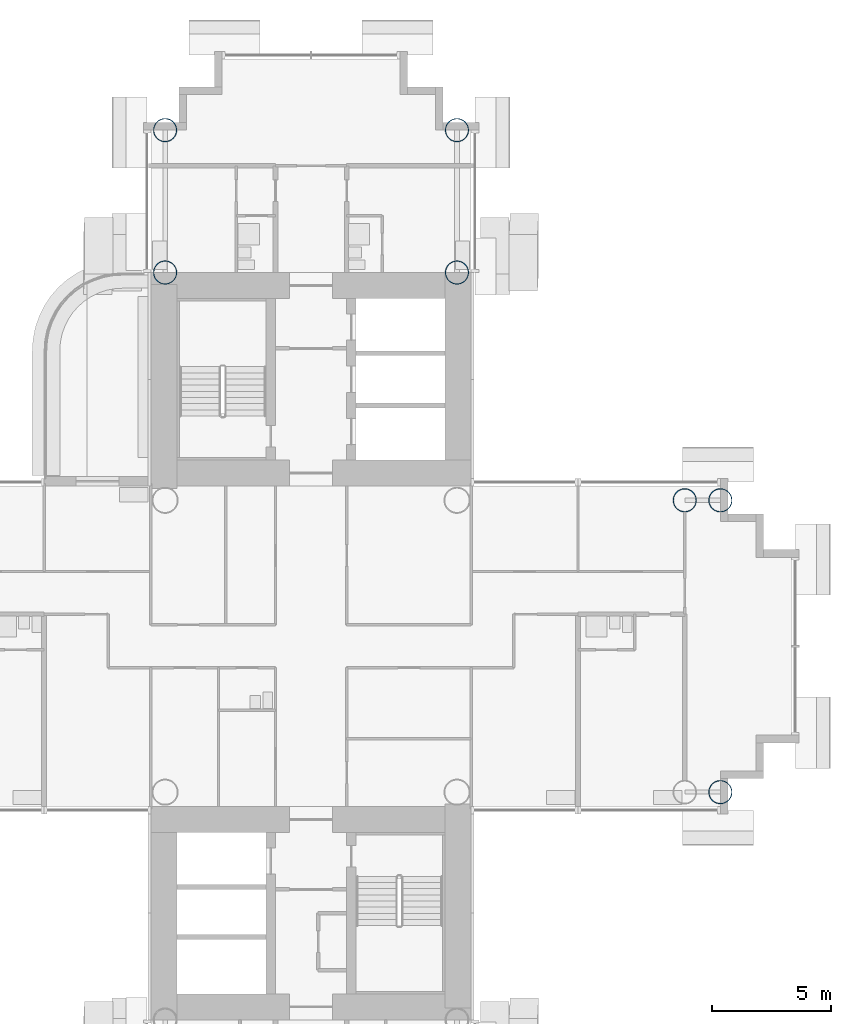
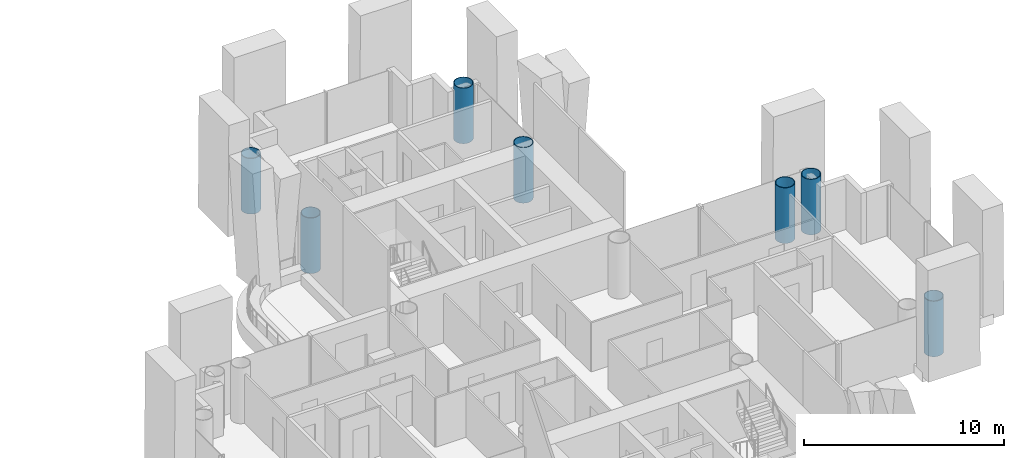
# One storey, part 2 of 23: 7 columns.
"""IFC4 building model written with IfcOpenShell, lengths in metres."""

from ifc_helpers import new_model, si_unit, direction, frame, origin, origin_2d, place, context, subcontext, project, spatial, hollow_circle, extrude, material, material_profile, profile_set, type_object, element, save


model = new_model("IFC4")

# Units and contexts
model_context = context("Model", 3, precision=1e-05, world=origin(), true_north=direction((0.0, 1.0)))
body_context = subcontext(model_context, "Body", "Model", "MODEL_VIEW")
ifc_project = project(units=[si_unit("LENGTHUNIT", "METRE"), si_unit("AREAUNIT", "SQUARE_METRE"), si_unit("VOLUMEUNIT", "CUBIC_METRE"), si_unit("PLANEANGLEUNIT", "RADIAN"), si_unit("MASSUNIT", "GRAM", prefix="KILO")], contexts=[model_context])

# Site, building, storey
site_placement = place(None, origin())
site = spatial("IfcSite", under=ifc_project, at=site_placement, CompositionType="ELEMENT")
building_placement = place(site_placement, origin())
building = spatial("IfcBuilding", under=site, at=building_placement, Name="Ipe Terrace Towers", CompositionType="ELEMENT")
storey_placement = place(building_placement, frame((0.0, 0.0, 44.89990234375)))
storey = spatial("IfcBuildingStorey", under=building, at=storey_placement, Name="L11", CompositionType="ELEMENT", Elevation=44.89990234375)

# Columns
ifc_material = material(Name="Steel S355 tube with Concrete C60/75 fill", Category="concrete")
ifc_material_profile = material_profile(ifc_material, hollow_circle(Radius=0.5, WallThickness=0.035888671875, at=origin_2d()), Name="CHS-1000x36")
ifc_profile_set = profile_set([ifc_material_profile], Name="Steel S355 tube with Concrete C60/75 fill")
column_type = type_object("IfcColumnType", Name="CH01 COLUMN CHS-1000x36", PredefinedType="COLUMN", material=ifc_profile_set)
for number, where, z_axis, x_axis, name in (
    (1, (42.14990234375, 15.75, 0.0), (0.0, 0.0, 1.0), (1.0, 0.0, 0.0), "Column T2-C-A01"),
    (2, (29.85009765625, 15.75, 0.0), (0.0, 0.0, 1.0), (1.0, 0.0, 0.0), "Column T2-C-A02"),
    (3, (42.14990234375, 21.75, 0.0), (0.0, 0.0, 1.0), (1.0, 0.0, 0.0), "Column T2-C-A03"),
    (4, (29.85009765625, 21.75, 0.0), (0.0, 0.0, 1.0), (1.0, 0.0, 0.0), "Column T2-C-A04"),
    (5, (51.75, 6.14990234375, 0.0), (0.0, 0.0, 1.0), (1.0, 0.0, 0.0), "Column T2-C-D04"),
    (6, (53.25, -6.14990234375, 0.0), (0.0, 0.0, 1.0), (1.0, 0.0, 0.0), "Column T2-C-D05"),
    (7, (53.25, 6.14990234375, 0.0), (0.0, 0.0, 1.0), (1.0, 0.0, 0.0), "Column T2-C-D06"),
):
    element("IfcColumn", number, at=place(storey_placement, frame(where, z_axis=z_axis, x_axis=x_axis)), inside=storey, type_object=column_type, Name=name, PredefinedType="COLUMN", context=body_context, shape_type="SweptSolid", body=[
        extrude(hollow_circle(Radius=0.5, WallThickness=0.035888671875, at=origin_2d()), origin(), (0.0, 0.0, 1.0), 3.400146484375),
    ])

save(model, "model.ifc")
